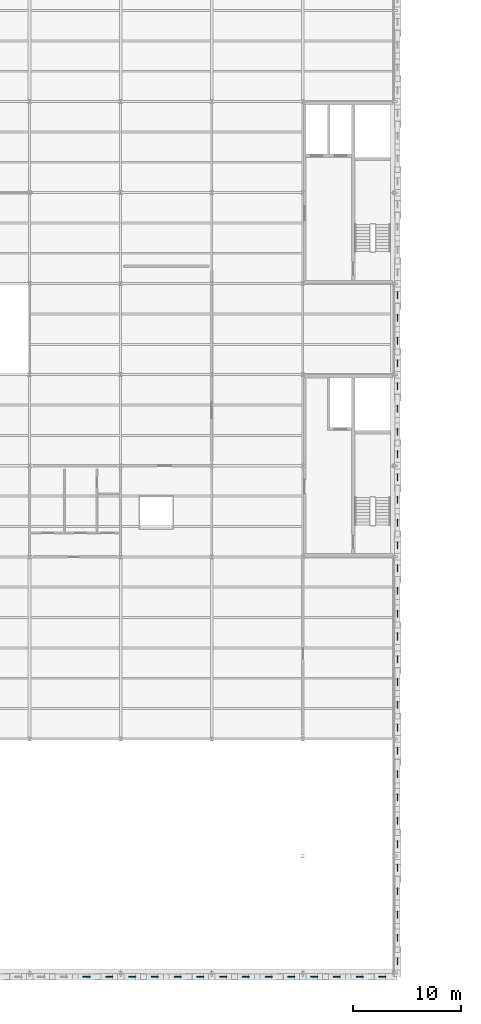
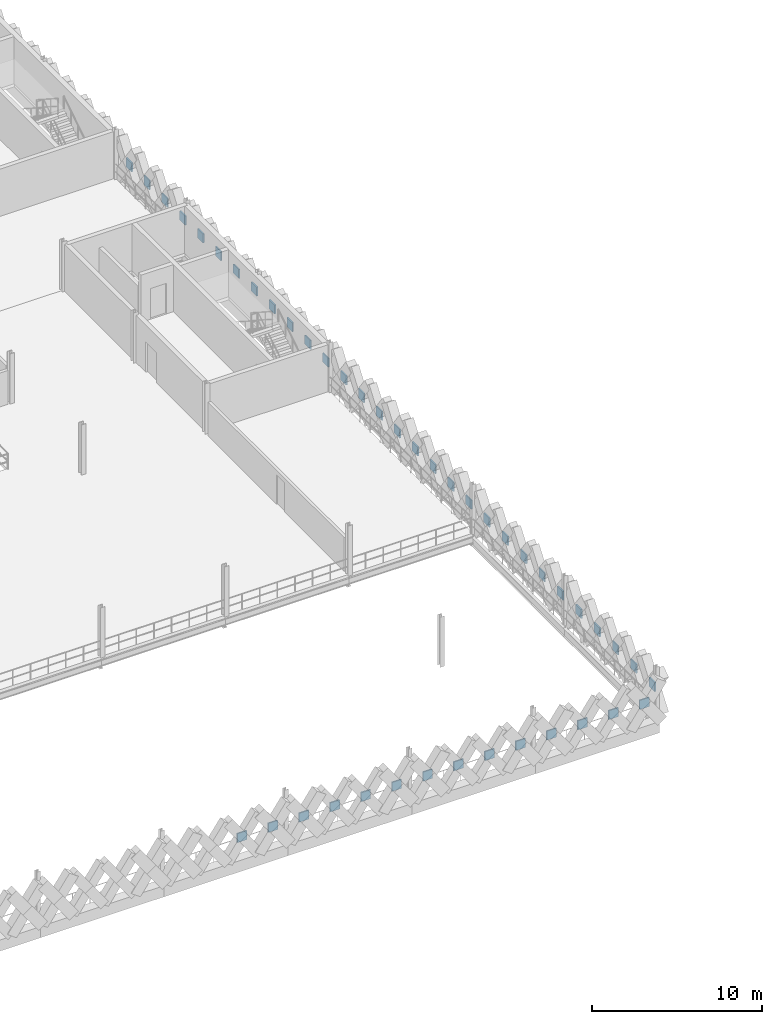
# One storey, part 34 of 47: 44 plates.
"""IFC4 building model written with IfcOpenShell, lengths in metres."""

from ifc_helpers import new_model, si_unit, direction, frame, origin, origin_2d, place, context, subcontext, project, spatial, rectangle, extrude, material, layer, layer_set, type_object, element, save


model = new_model("IFC4")

# Units and contexts
model_context = context("Model", 3, precision=1e-05, world=origin(), true_north=direction((0.0, 1.0)))
body_context = subcontext(model_context, "Body", "Model", "MODEL_VIEW")
ifc_project = project(units=[si_unit("LENGTHUNIT", "METRE"), si_unit("AREAUNIT", "SQUARE_METRE"), si_unit("VOLUMEUNIT", "CUBIC_METRE"), si_unit("PLANEANGLEUNIT", "RADIAN"), si_unit("MASSUNIT", "GRAM", prefix="KILO"), si_unit("THERMODYNAMICTEMPERATUREUNIT", "KELVIN"), si_unit("POWERUNIT", "WATT")], contexts=[model_context])

# Site, building, storey
site_placement = place(None, origin())
site = spatial("IfcSite", under=ifc_project, at=site_placement, CompositionType="ELEMENT")
building_placement = place(site_placement, origin())
building = spatial("IfcBuilding", under=site, at=building_placement, Name="Tembeka Court Mobility Hub", CompositionType="ELEMENT")
storey_placement = place(building_placement, frame((0.0, 0.0, 19.800048828125)))
storey = spatial("IfcBuildingStorey", under=building, at=storey_placement, Name="L05", CompositionType="ELEMENT", Elevation=19.800048828125)

# Plates
ifc_material = material(Name="Precast concrete C45/55", Category="concrete")
ifc_layer = layer(ifc_material, 0.090087890625)
ifc_layer_set = layer_set([ifc_layer], Name="Precast concrete C45/55")
plate_type = type_object("IfcPlateType", Name="PL-PC01", PredefinedType="SHEET", material=ifc_layer_set)
for number, where, z_axis, x_axis, name in (
    (1, (64.050048828125, -0.340087890625, 1.159912109375), (0.0, 0.0, 1.0), (1.0, 0.0, 0.0), "Precast diamond lattice node plate PCN01 (L05-819)"),
    (2, (66.14990234375, -0.340087890625, 1.159912109375), (0.0, 0.0, 1.0), (1.0, 0.0, 0.0), "Precast diamond lattice node plate PCN01 (L05-820)"),
    (3, (68.25, -0.340087890625, 1.159912109375), (0.0, 0.0, 1.0), (1.0, 0.0, 0.0), "Precast diamond lattice node plate PCN01 (L05-821)"),
    (4, (70.35009765625, -0.340087890625, 1.159912109375), (0.0, 0.0, 1.0), (1.0, 0.0, 0.0), "Precast diamond lattice node plate PCN01 (L05-822)"),
    (5, (72.449951171875, -0.340087890625, 1.159912109375), (0.0, 0.0, 1.0), (1.0, 0.0, 0.0), "Precast diamond lattice node plate PCN01 (L05-823)"),
    (6, (74.550048828125, -0.340087890625, 1.159912109375), (0.0, 0.0, 1.0), (1.0, 0.0, 0.0), "Precast diamond lattice node plate PCN01 (L05-824)"),
    (7, (76.64990234375, -0.340087890625, 1.159912109375), (0.0, 0.0, 1.0), (1.0, 0.0, 0.0), "Precast diamond lattice node plate PCN01 (L05-825)"),
    (8, (78.75, -0.340087890625, 1.159912109375), (0.0, 0.0, 1.0), (1.0, 0.0, 0.0), "Precast diamond lattice node plate PCN01 (L05-826)"),
    (9, (80.85009765625, -0.340087890625, 1.159912109375), (0.0, 0.0, 1.0), (1.0, 0.0, 0.0), "Precast diamond lattice node plate PCN01 (L05-827)"),
    (10, (82.949951171875, -0.340087890625, 1.159912109375), (0.0, 0.0, 1.0), (1.0, 0.0, 0.0), "Precast diamond lattice node plate PCN01 (L05-828)"),
    (11, (85.050048828125, -0.340087890625, 1.159912109375), (0.0, 0.0, 1.0), (1.0, 0.0, 0.0), "Precast diamond lattice node plate PCN01 (L05-829)"),
    (12, (87.14990234375, -0.340087890625, 1.159912109375), (0.0, 0.0, 1.0), (1.0, 0.0, 0.0), "Precast diamond lattice node plate PCN01 (L05-830)"),
    (13, (89.25, -0.340087890625, 1.159912109375), (0.0, 0.0, 1.0), (1.0, 0.0, 0.0), "Precast diamond lattice node plate PCN01 (L05-831)"),
    (14, (91.35009765625, -0.340087890625, 1.159912109375), (0.0, 0.0, 1.0), (1.0, 0.0, 0.0), "Precast diamond lattice node plate PCN01 (L05-832)"),
):
    element("IfcPlate", number, at=place(storey_placement, frame(where, z_axis=z_axis, x_axis=x_axis)), inside=storey, type_object=plate_type, Name=name, PredefinedType="SHEET", context=body_context, shape_type="SweptSolid", body=[
        extrude(rectangle(XDim=0.64990234375, YDim=0.090087890625, at=origin_2d()), origin(), (0.0, 0.0, 1.0), 0.64990234375),
    ])
for number, where, z_axis, x_axis, name in (
    (15, (92.739990234375, 1.080078125, 1.159912109375), (0.0, 0.0, 1.0), (1.0, 0.0, 0.0), "Precast diamond lattice node plate PCN01 (L05-933)"),
    (16, (92.739990234375, 3.239990234375, 1.159912109375), (0.0, 0.0, 1.0), (1.0, 0.0, 0.0), "Precast diamond lattice node plate PCN01 (L05-934)"),
    (17, (92.739990234375, 5.39990234375, 1.159912109375), (0.0, 0.0, 1.0), (1.0, 0.0, 0.0), "Precast diamond lattice node plate PCN01 (L05-935)"),
    (18, (92.739990234375, 7.56005859375, 1.159912109375), (0.0, 0.0, 1.0), (1.0, 0.0, 0.0), "Precast diamond lattice node plate PCN01 (L05-936)"),
    (19, (92.739990234375, 9.719970703125, 1.159912109375), (0.0, 0.0, 1.0), (1.0, 0.0, 0.0), "Precast diamond lattice node plate PCN01 (L05-937)"),
    (20, (92.739990234375, 11.8798828125, 1.159912109375), (0.0, 0.0, 1.0), (1.0, 0.0, 0.0), "Precast diamond lattice node plate PCN01 (L05-938)"),
    (21, (92.739990234375, 14.0400390625, 1.159912109375), (0.0, 0.0, 1.0), (1.0, 0.0, 0.0), "Precast diamond lattice node plate PCN01 (L05-939)"),
    (22, (92.739990234375, 16.199951171875, 1.159912109375), (0.0, 0.0, 1.0), (1.0, 0.0, 0.0), "Precast diamond lattice node plate PCN01 (L05-940)"),
    (23, (92.739990234375, 18.360107421875, 1.159912109375), (0.0, 0.0, 1.0), (1.0, 0.0, 0.0), "Precast diamond lattice node plate PCN01 (L05-941)"),
    (24, (92.739990234375, 20.52001953125, 1.159912109375), (0.0, 0.0, 1.0), (1.0, 0.0, 0.0), "Precast diamond lattice node plate PCN01 (L05-942)"),
    (25, (92.739990234375, 22.64990234375, 1.159912109375), (0.0, 0.0, 1.0), (1.0, 0.0, 0.0), "Precast diamond lattice node plate PCN01 (L05-943)"),
    (26, (92.739990234375, 24.75, 1.159912109375), (0.0, 0.0, 1.0), (1.0, 0.0, 0.0), "Precast diamond lattice node plate PCN01 (L05-944)"),
    (27, (92.739990234375, 26.85009765625, 1.159912109375), (0.0, 0.0, 1.0), (1.0, 0.0, 0.0), "Precast diamond lattice node plate PCN01 (L05-945)"),
    (28, (92.739990234375, 28.949951171875, 1.159912109375), (0.0, 0.0, 1.0), (1.0, 0.0, 0.0), "Precast diamond lattice node plate PCN01 (L05-946)"),
    (29, (92.739990234375, 31.050048828125, 1.159912109375), (0.0, 0.0, 1.0), (1.0, 0.0, 0.0), "Precast diamond lattice node plate PCN01 (L05-947)"),
    (30, (92.739990234375, 33.14990234375, 1.159912109375), (0.0, 0.0, 1.0), (1.0, 0.0, 0.0), "Precast diamond lattice node plate PCN01 (L05-948)"),
    (31, (92.739990234375, 35.25, 1.159912109375), (0.0, 0.0, 1.0), (1.0, 0.0, 0.0), "Precast diamond lattice node plate PCN01 (L05-949)"),
    (32, (92.739990234375, 37.35009765625, 1.159912109375), (0.0, 0.0, 1.0), (1.0, 0.0, 0.0), "Precast diamond lattice node plate PCN01 (L05-950)"),
    (33, (92.739990234375, 39.449951171875, 1.159912109375), (0.0, 0.0, 1.0), (1.0, 0.0, 0.0), "Precast diamond lattice node plate PCN01 (L05-951)"),
    (34, (92.739990234375, 41.550048828125, 1.159912109375), (0.0, 0.0, 1.0), (1.0, 0.0, 0.0), "Precast diamond lattice node plate PCN01 (L05-952)"),
    (35, (92.739990234375, 43.64990234375, 1.159912109375), (0.0, 0.0, 1.0), (1.0, 0.0, 0.0), "Precast diamond lattice node plate PCN01 (L05-953)"),
    (36, (92.739990234375, 45.75, 1.159912109375), (0.0, 0.0, 1.0), (1.0, 0.0, 0.0), "Precast diamond lattice node plate PCN01 (L05-954)"),
    (37, (92.739990234375, 47.85009765625, 1.159912109375), (0.0, 0.0, 1.0), (1.0, 0.0, 0.0), "Precast diamond lattice node plate PCN01 (L05-955)"),
    (38, (92.739990234375, 49.949951171875, 1.159912109375), (0.0, 0.0, 1.0), (1.0, 0.0, 0.0), "Precast diamond lattice node plate PCN01 (L05-956)"),
    (39, (92.739990234375, 52.050048828125, 1.159912109375), (0.0, 0.0, 1.0), (1.0, 0.0, 0.0), "Precast diamond lattice node plate PCN01 (L05-957)"),
    (40, (92.739990234375, 54.14990234375, 1.159912109375), (0.0, 0.0, 1.0), (1.0, 0.0, 0.0), "Precast diamond lattice node plate PCN01 (L05-958)"),
    (41, (92.739990234375, 56.25, 1.159912109375), (0.0, 0.0, 1.0), (1.0, 0.0, 0.0), "Precast diamond lattice node plate PCN01 (L05-959)"),
    (42, (92.739990234375, 58.35009765625, 1.159912109375), (0.0, 0.0, 1.0), (1.0, 0.0, 0.0), "Precast diamond lattice node plate PCN01 (L05-960)"),
    (43, (92.739990234375, 60.449951171875, 1.159912109375), (0.0, 0.0, 1.0), (1.0, 0.0, 0.0), "Precast diamond lattice node plate PCN01 (L05-961)"),
    (44, (92.739990234375, 62.550048828125, 1.159912109375), (0.0, 0.0, 1.0), (1.0, 0.0, 0.0), "Precast diamond lattice node plate PCN01 (L05-962)"),
):
    element("IfcPlate", number, at=place(storey_placement, frame(where, z_axis=z_axis, x_axis=x_axis)), inside=storey, type_object=plate_type, Name=name, PredefinedType="SHEET", context=body_context, shape_type="SweptSolid", body=[
        extrude(rectangle(XDim=0.090087890625, YDim=0.64990234375, at=origin_2d()), origin(), (0.0, 0.0, 1.0), 0.64990234375),
    ])

save(model, "model.ifc")
